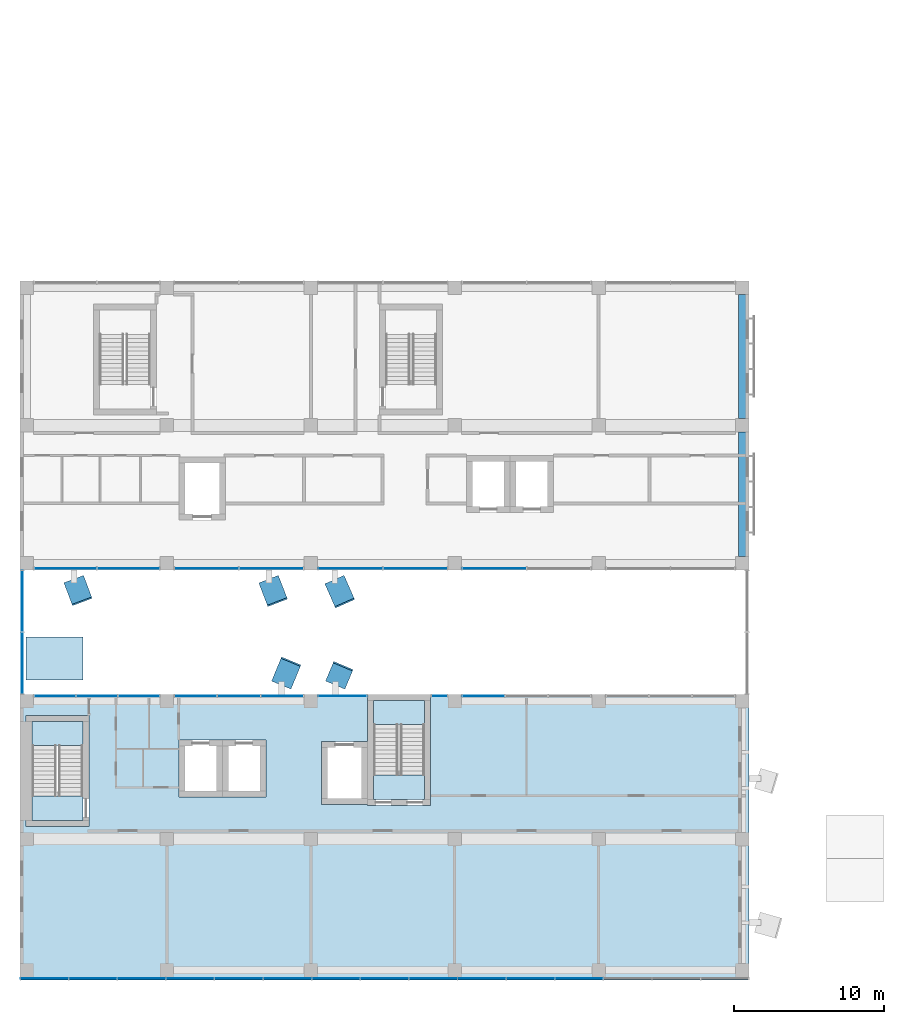
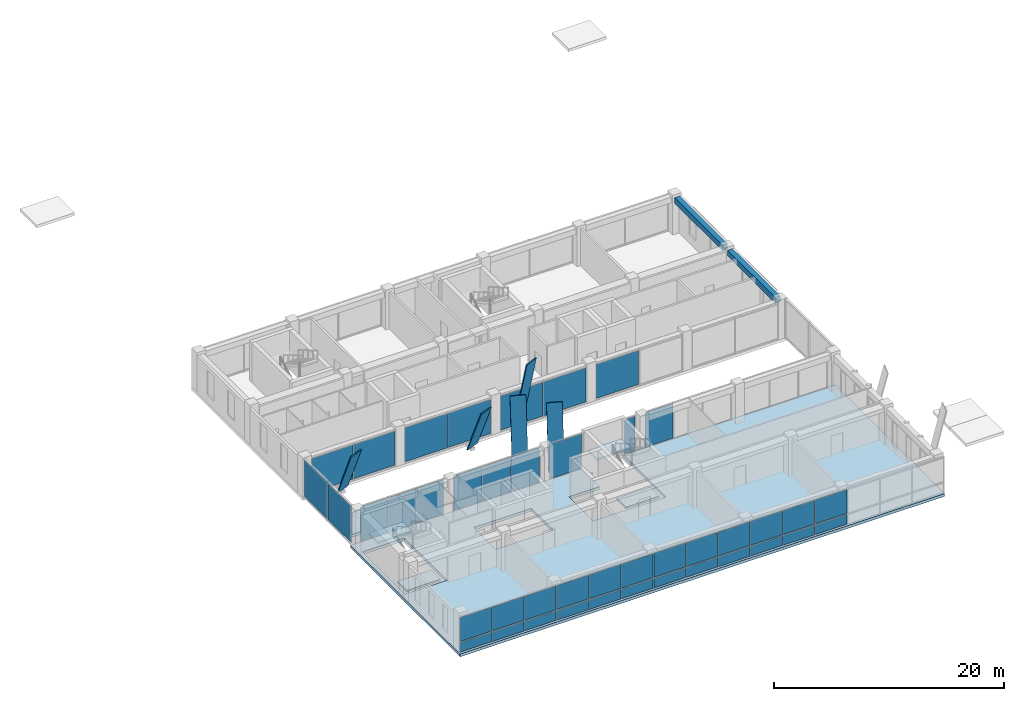
# One storey, part 25 of 36: 47 plates, 6 slabs, 2 beams, 13 elements without a shape of their own.
"""IFC4 building model written with IfcOpenShell, lengths in metres."""

from ifc_helpers import new_model, si_unit, direction, frame, origin, origin_2d, place, context, subcontext, project, spatial, polyline, rectangle, outline, extrude, material, layer, layer_set, material_profile, profile_set, type_object, element, aggregate, save


model = new_model("IFC4")

# Units and contexts
model_context = context("Model", 3, precision=1e-05, world=origin(), true_north=direction((0.0, 1.0)))
body_context = subcontext(model_context, "Body", "Model", "MODEL_VIEW")
ifc_project = project(units=[si_unit("LENGTHUNIT", "METRE"), si_unit("AREAUNIT", "SQUARE_METRE"), si_unit("VOLUMEUNIT", "CUBIC_METRE"), si_unit("PLANEANGLEUNIT", "RADIAN"), si_unit("MASSUNIT", "GRAM", prefix="KILO")], contexts=[model_context])

# Site, building, storey
site_placement = place(None, origin())
site = spatial("IfcSite", under=ifc_project, at=site_placement, CompositionType="ELEMENT")
building_placement = place(site_placement, origin())
building = spatial("IfcBuilding", under=site, at=building_placement, Name="Nzadi Deep Aquarium and Research Tower", CompositionType="ELEMENT")
storey_placement = place(building_placement, frame((0.0, 0.0, 36.10009765625)))
storey = spatial("IfcBuildingStorey", under=building, at=storey_placement, Name="L06", CompositionType="ELEMENT", Elevation=36.10009765625)

# Beams
ifc_material_1 = material(Name="Concrete C35/45", Category="concrete")
ifc_material_profile_1 = material_profile(ifc_material_1, rectangle(XDim=0.5, YDim=0.60009765625, at=origin_2d()))
ifc_profile_set_1 = profile_set([ifc_material_profile_1], Name="Concrete C35/45")
beam_type = type_object("IfcBeamType", Name="RC 500x600", PredefinedType="BEAM", material=ifc_profile_set_1)
for number, where, z_axis, x_axis, name in (
    (1, (48.0, 28.050048828125, 3.599853515625), (0.0, 1.0, 0.0), (-1.0, 0.0, 0.0), "B-Z1-L06-CF-1-4"),
    (2, (48.0, 37.25, 3.599853515625), (0.0, 1.0, 0.0), (-1.0, 0.0, 0.0), "B-Z1-L06-CF-2-4"),
):
    element("IfcBeam", number, at=place(storey_placement, frame(where, z_axis=z_axis, x_axis=x_axis)), inside=storey, type_object=beam_type, Name=name, PredefinedType="BEAM", context=body_context, shape_type="SweptSolid", body=[
        extrude(rectangle(XDim=0.5, YDim=0.60009765625, at=origin_2d()), origin(), (0.0, 0.0, 1.0), 8.300048828125),
    ])

# Plates
ifc_material_2 = material(Name="Anodised aluminium, bright", Category="aluminium")
ifc_material_profile_2 = material_profile(ifc_material_2, rectangle(XDim=1.39990234375, YDim=0.10009765625, at=origin_2d()))
ifc_profile_set_2 = profile_set([ifc_material_profile_2], Name="Anodised aluminium, bright")
plate_type_1 = type_object("IfcPlateType", Name="Fold blade anodised aluminium 1400x100, 4.8 m", PredefinedType="SHEET", material=ifc_profile_set_2)
for number, where, z_axis, x_axis, name in (
    (3, (3.39990234375, 26.503662109375, 0.015869140625), (0.112813518628, -0.300090063077, 0.94721648215), (0.936041988942, 0.351888327368, 0.0), "FD029 fold blade SB L06"),
    (4, (16.39990234375, 26.498046875, 0.0166015625), (0.119630541525, -0.309910242138, 0.943209507666), (0.932906886914, 0.360117675697, 0.0), "FD030 fold blade SB L06"),
):
    element("IfcPlate", number, at=place(storey_placement, frame(where, z_axis=z_axis, x_axis=x_axis)), inside=storey, type_object=plate_type_1, Name=name, PredefinedType="SHEET", context=body_context, shape_type="SweptSolid", body=[
        extrude(rectangle(XDim=1.39990234375, YDim=0.10009765625, at=origin_2d()), origin(), (0.0, 0.0, 1.0), 4.800048828125),
    ])
ifc_material_3 = material(Name="Anodised aluminium, bright", Category="aluminium")
ifc_material_profile_3 = material_profile(ifc_material_3, rectangle(XDim=1.39990234375, YDim=0.10009765625, at=origin_2d()))
ifc_profile_set_3 = profile_set([ifc_material_profile_3], Name="Anodised aluminium, bright")
plate_type_2 = type_object("IfcPlateType", Name="Fold blade anodised aluminium 1400x100, 6.6 m", PredefinedType="SHEET", material=ifc_profile_set_3)
plate_1_placement = place(storey_placement, frame((20.85009765625, 19.521240234375, 0.010009765625), z_axis=(0.077239579373, 0.183813922369, 0.979921675095), x_axis=(-0.921914527456, 0.387393345407, 0.0)))
element("IfcPlate", 5, at=plate_1_placement, inside=storey, type_object=plate_type_2, Name="FD028 fold blade SA L06", PredefinedType="SHEET", context=body_context, shape_type="SweptSolid", body=[
    extrude(rectangle(XDim=1.39990234375, YDim=0.10009765625, at=origin_2d()), origin(), (0.0, 0.0, 1.0), 6.599853515625),
])
ifc_material_4 = material(Name="Anodised aluminium, bright", Category="aluminium")
ifc_material_profile_4 = material_profile(ifc_material_4, rectangle(XDim=1.39990234375, YDim=0.10009765625, at=origin_2d()))
ifc_profile_set_4 = profile_set([ifc_material_profile_4], Name="Anodised aluminium, bright")
plate_type_3 = type_object("IfcPlateType", Name="Fold blade anodised aluminium 1400x100, 8.4 m", PredefinedType="SHEET", material=ifc_profile_set_4)
plate_2_placement = place(storey_placement, frame((17.25, 19.517822265625, 0.009765625), z_axis=(0.074986790204, 0.181043688442, 0.980612137478), x_axis=(-0.923886678754, 0.382666179352, 0.0)))
element("IfcPlate", 6, at=plate_2_placement, inside=storey, type_object=plate_type_3, Name="FD027 fold blade SA L06", PredefinedType="SHEET", context=body_context, shape_type="SweptSolid", body=[
    extrude(rectangle(XDim=1.39990234375, YDim=0.10009765625, at=origin_2d()), origin(), (0.0, 0.0, 1.0), 8.39990234375),
])
plate_3_placement = place(storey_placement, frame((20.800048828125, 26.467529296875, 0.009765625), z_axis=(0.079751915552, -0.180836887232, 0.980274273957), x_axis=(0.914972100108, 0.403517107473, 0.0)))
element("IfcPlate", 7, at=plate_3_placement, inside=storey, type_object=plate_type_3, Name="FD031 fold blade SB L06", PredefinedType="SHEET", context=body_context, shape_type="SweptSolid", body=[
    extrude(rectangle(XDim=1.39990234375, YDim=0.10009765625, at=origin_2d()), origin(), (0.0, 0.0, 1.0), 8.400146484375),
])

# Curtain wall, plates
ifc_material_5 = material(Name="Aluminium unitised frame", Category="aluminium")
ifc_layer_1 = layer(ifc_material_5, 0.199951171875)
ifc_layer_set_1 = layer_set([ifc_layer_1], Name="Aluminium unitised frame")
curtain_wall_type_1 = type_object("IfcCurtainWallType", Name="Curtain wall Unitised 200", PredefinedType="NOTDEFINED", material=ifc_layer_set_1)
curtain_wall_1_placement = place(storey_placement, origin())
curtain_wall_1 = element("IfcCurtainWall", 8, at=curtain_wall_1_placement, inside=storey, type_object=curtain_wall_type_1, Name="Unitised curtain wall blade A south L06", PredefinedType="NOTDEFINED")
ifc_material_6 = material(Name="Glass, sage tint", Category="glass")
ifc_layer_2 = layer(ifc_material_6, 0.035888671875)
ifc_layer_set_2 = layer_set([ifc_layer_2], Name="Glass, sage tint")
plate_type_4 = type_object("IfcPlateType", Name="Glazing panel 36 Unitised", PredefinedType="CURTAIN_PANEL", material=ifc_layer_set_2)
plate_4_placement = place(storey_placement, frame((1.436767578125, -0.10009765625, 1.260009765625), z_axis=(0.0, 0.0, 1.0), x_axis=(1.0, 0.0, 0.0)))
plate_4 = element("IfcPlate", 9, at=plate_4_placement, type_object=plate_type_4, Name="CW008 panel 1.2", PredefinedType="CURTAIN_PANEL", context=body_context, shape_type="SweptSolid", body=[
    extrude(rectangle(XDim=3.1533203125, YDim=0.035888671875, at=origin_2d()), origin(), (0.0, 0.0, 1.0), 2.52001953125),
])
plate_5_placement = place(storey_placement, frame((4.6650390625, -0.10009765625, 1.260009765625), z_axis=(0.0, 0.0, 1.0), x_axis=(1.0, 0.0, 0.0)))
plate_5 = element("IfcPlate", 10, at=plate_5_placement, type_object=plate_type_4, Name="CW008 panel 2.2", PredefinedType="CURTAIN_PANEL", context=body_context, shape_type="SweptSolid", body=[
    extrude(rectangle(XDim=3.183349609375, YDim=0.035888671875, at=origin_2d()), origin(), (0.0, 0.0, 1.0), 2.52001953125),
])
plate_6_placement = place(storey_placement, frame((7.908447265625, -0.10009765625, 1.260009765625), z_axis=(0.0, 0.0, 1.0), x_axis=(1.0, 0.0, 0.0)))
plate_6 = element("IfcPlate", 11, at=plate_6_placement, type_object=plate_type_4, Name="CW008 panel 3.2", PredefinedType="CURTAIN_PANEL", context=body_context, shape_type="SweptSolid", body=[
    extrude(rectangle(XDim=3.183349609375, YDim=0.035888671875, at=origin_2d()), origin(), (0.0, 0.0, 1.0), 2.52001953125),
])
plate_7_placement = place(storey_placement, frame((11.151611328125, -0.10009765625, 1.260009765625), z_axis=(0.0, 0.0, 1.0), x_axis=(1.0, 0.0, 0.0)))
plate_7 = element("IfcPlate", 12, at=plate_7_placement, type_object=plate_type_4, Name="CW008 panel 4.2", PredefinedType="CURTAIN_PANEL", context=body_context, shape_type="SweptSolid", body=[
    extrude(rectangle(XDim=3.183349609375, YDim=0.035888671875, at=origin_2d()), origin(), (0.0, 0.0, 1.0), 2.52001953125),
])
plate_8_placement = place(storey_placement, frame((14.39501953125, -0.10009765625, 1.260009765625), z_axis=(0.0, 0.0, 1.0), x_axis=(1.0, 0.0, 0.0)))
plate_8 = element("IfcPlate", 13, at=plate_8_placement, type_object=plate_type_4, Name="CW008 panel 5.2", PredefinedType="CURTAIN_PANEL", context=body_context, shape_type="SweptSolid", body=[
    extrude(rectangle(XDim=3.183349609375, YDim=0.035888671875, at=origin_2d()), origin(), (0.0, 0.0, 1.0), 2.52001953125),
])
plate_9_placement = place(storey_placement, frame((17.638427734375, -0.10009765625, 1.260009765625), z_axis=(0.0, 0.0, 1.0), x_axis=(1.0, 0.0, 0.0)))
plate_9 = element("IfcPlate", 14, at=plate_9_placement, type_object=plate_type_4, Name="CW008 panel 6.2", PredefinedType="CURTAIN_PANEL", context=body_context, shape_type="SweptSolid", body=[
    extrude(rectangle(XDim=3.183349609375, YDim=0.035888671875, at=origin_2d()), origin(), (0.0, 0.0, 1.0), 2.52001953125),
])
plate_10_placement = place(storey_placement, frame((20.881591796875, -0.10009765625, 1.260009765625), z_axis=(0.0, 0.0, 1.0), x_axis=(1.0, 0.0, 0.0)))
plate_10 = element("IfcPlate", 15, at=plate_10_placement, type_object=plate_type_4, Name="CW008 panel 7.2", PredefinedType="CURTAIN_PANEL", context=body_context, shape_type="SweptSolid", body=[
    extrude(rectangle(XDim=3.183349609375, YDim=0.035888671875, at=origin_2d()), origin(), (0.0, 0.0, 1.0), 2.52001953125),
])
plate_11_placement = place(storey_placement, frame((24.125, -0.10009765625, 1.260009765625), z_axis=(0.0, 0.0, 1.0), x_axis=(1.0, 0.0, 0.0)))
plate_11 = element("IfcPlate", 16, at=plate_11_placement, type_object=plate_type_4, Name="CW008 panel 8.2", PredefinedType="CURTAIN_PANEL", context=body_context, shape_type="SweptSolid", body=[
    extrude(rectangle(XDim=3.183349609375, YDim=0.035888671875, at=origin_2d()), origin(), (0.0, 0.0, 1.0), 2.52001953125),
])
plate_12_placement = place(storey_placement, frame((27.368408203125, -0.10009765625, 1.260009765625), z_axis=(0.0, 0.0, 1.0), x_axis=(1.0, 0.0, 0.0)))
plate_12 = element("IfcPlate", 17, at=plate_12_placement, type_object=plate_type_4, Name="CW008 panel 9.2", PredefinedType="CURTAIN_PANEL", context=body_context, shape_type="SweptSolid", body=[
    extrude(rectangle(XDim=3.183349609375, YDim=0.035888671875, at=origin_2d()), origin(), (0.0, 0.0, 1.0), 2.52001953125),
])
plate_13_placement = place(storey_placement, frame((30.611572265625, -0.10009765625, 1.260009765625), z_axis=(0.0, 0.0, 1.0), x_axis=(1.0, 0.0, 0.0)))
plate_13 = element("IfcPlate", 18, at=plate_13_placement, type_object=plate_type_4, Name="CW008 panel 10.2", PredefinedType="CURTAIN_PANEL", context=body_context, shape_type="SweptSolid", body=[
    extrude(rectangle(XDim=3.183349609375, YDim=0.035888671875, at=origin_2d()), origin(), (0.0, 0.0, 1.0), 2.52001953125),
])
plate_14_placement = place(storey_placement, frame((33.85498046875, -0.10009765625, 1.260009765625), z_axis=(0.0, 0.0, 1.0), x_axis=(1.0, 0.0, 0.0)))
plate_14 = element("IfcPlate", 19, at=plate_14_placement, type_object=plate_type_4, Name="CW008 panel 11.2", PredefinedType="CURTAIN_PANEL", context=body_context, shape_type="SweptSolid", body=[
    extrude(rectangle(XDim=3.183349609375, YDim=0.035888671875, at=origin_2d()), origin(), (0.0, 0.0, 1.0), 2.52001953125),
])
plate_15_placement = place(storey_placement, frame((37.098388671875, -0.10009765625, 1.260009765625), z_axis=(0.0, 0.0, 1.0), x_axis=(1.0, 0.0, 0.0)))
plate_15 = element("IfcPlate", 20, at=plate_15_placement, type_object=plate_type_4, Name="CW008 panel 12.2", PredefinedType="CURTAIN_PANEL", context=body_context, shape_type="SweptSolid", body=[
    extrude(rectangle(XDim=3.183349609375, YDim=0.035888671875, at=origin_2d()), origin(), (0.0, 0.0, 1.0), 2.52001953125),
])

curtain_wall_2_placement = place(storey_placement, origin())
curtain_wall_2 = element("IfcCurtainWall", 21, at=curtain_wall_2_placement, inside=storey, type_object=curtain_wall_type_1, Name="Unitised curtain wall blade A north L06", PredefinedType="NOTDEFINED")
plate_16_placement = place(storey_placement, frame((2.123291015625, 18.75, 0.1201171875), z_axis=(0.0, 0.0, 1.0), x_axis=(1.0, 0.0, 0.0)))
plate_16 = element("IfcPlate", 22, at=plate_16_placement, type_object=plate_type_4, Name="CW009 panel 1.1", PredefinedType="CURTAIN_PANEL", context=body_context, shape_type="SweptSolid", body=[
    extrude(rectangle(XDim=2.7265625, YDim=0.035888671875, at=origin_2d()), origin(), (0.0, 0.0, 1.0), 3.659912109375),
])
plate_17_placement = place(storey_placement, frame((4.925048828125, 18.75, 0.1201171875), z_axis=(0.0, 0.0, 1.0), x_axis=(1.0, 0.0, 0.0)))
plate_17 = element("IfcPlate", 23, at=plate_17_placement, type_object=plate_type_4, Name="CW009 panel 2.1", PredefinedType="CURTAIN_PANEL", context=body_context, shape_type="SweptSolid", body=[
    extrude(rectangle(XDim=2.756591796875, YDim=0.035888671875, at=origin_2d()), origin(), (0.0, 0.0, 1.0), 3.659912109375),
])
plate_18_placement = place(storey_placement, frame((7.7265625, 18.75, 0.1201171875), z_axis=(0.0, 0.0, 1.0), x_axis=(1.0, 0.0, 0.0)))
plate_18 = element("IfcPlate", 24, at=plate_18_placement, type_object=plate_type_4, Name="CW009 panel 3.1", PredefinedType="CURTAIN_PANEL", context=body_context, shape_type="SweptSolid", body=[
    extrude(rectangle(XDim=2.7265625, YDim=0.035888671875, at=origin_2d()), origin(), (0.0, 0.0, 1.0), 3.659912109375),
])
aggregate(curtain_wall_2, [plate_16, plate_17, plate_18])

curtain_wall_3_placement = place(storey_placement, origin())
curtain_wall_3 = element("IfcCurtainWall", 25, at=curtain_wall_3_placement, inside=storey, type_object=curtain_wall_type_1, Name="Unitised curtain wall blade A north L06", PredefinedType="NOTDEFINED")
plate_19_placement = place(storey_placement, frame((11.514892578125, 18.75, 0.1201171875), z_axis=(0.0, 0.0, 1.0), x_axis=(1.0, 0.0, 0.0)))
plate_19 = element("IfcPlate", 26, at=plate_19_placement, type_object=plate_type_4, Name="CW010 panel 1.1", PredefinedType="CURTAIN_PANEL", context=body_context, shape_type="SweptSolid", body=[
    extrude(rectangle(XDim=2.81005859375, YDim=0.035888671875, at=origin_2d()), origin(), (0.0, 0.0, 1.0), 3.659912109375),
])
plate_20_placement = place(storey_placement, frame((14.39990234375, 18.75, 0.1201171875), z_axis=(0.0, 0.0, 1.0), x_axis=(1.0, 0.0, 0.0)))
plate_20 = element("IfcPlate", 27, at=plate_20_placement, type_object=plate_type_4, Name="CW010 panel 2.1", PredefinedType="CURTAIN_PANEL", context=body_context, shape_type="SweptSolid", body=[
    extrude(rectangle(XDim=2.840087890625, YDim=0.035888671875, at=origin_2d()), origin(), (0.0, 0.0, 1.0), 3.659912109375),
])
plate_21_placement = place(storey_placement, frame((17.284912109375, 18.75, 0.1201171875), z_axis=(0.0, 0.0, 1.0), x_axis=(1.0, 0.0, 0.0)))
plate_21 = element("IfcPlate", 28, at=plate_21_placement, type_object=plate_type_4, Name="CW010 panel 3.1", PredefinedType="CURTAIN_PANEL", context=body_context, shape_type="SweptSolid", body=[
    extrude(rectangle(XDim=2.81005859375, YDim=0.035888671875, at=origin_2d()), origin(), (0.0, 0.0, 1.0), 3.659912109375),
])
aggregate(curtain_wall_3, [plate_19, plate_20, plate_21])

# Curtain wall, plate
curtain_wall_4_placement = place(storey_placement, origin())
curtain_wall_4 = element("IfcCurtainWall", 29, at=curtain_wall_4_placement, inside=storey, type_object=curtain_wall_type_1, Name="Unitised curtain wall blade A north L06", PredefinedType="NOTDEFINED")
plate_22_placement = place(storey_placement, frame((21.324951171875, 18.75, 0.1201171875), z_axis=(0.0, 0.0, 1.0), x_axis=(1.0, 0.0, 0.0)))
plate_22 = element("IfcPlate", 30, at=plate_22_placement, type_object=plate_type_4, Name="CW011 panel 1.1", PredefinedType="CURTAIN_PANEL", context=body_context, shape_type="SweptSolid", body=[
    extrude(rectangle(XDim=3.22998046875, YDim=0.035888671875, at=origin_2d()), origin(), (0.0, 0.0, 1.0), 3.659912109375),
])
aggregate(curtain_wall_4, [plate_22])

curtain_wall_5_placement = place(storey_placement, origin())
curtain_wall_5 = element("IfcCurtainWall", 31, at=curtain_wall_5_placement, inside=storey, type_object=curtain_wall_type_1, Name="Unitised curtain wall blade A north L06", PredefinedType="NOTDEFINED")
plate_23_placement = place(storey_placement, frame((27.77490234375, 18.75, 0.1201171875), z_axis=(0.0, 0.0, 1.0), x_axis=(1.0, 0.0, 0.0)))
plate_23 = element("IfcPlate", 32, at=plate_23_placement, type_object=plate_type_4, Name="CW012 panel 1.1", PredefinedType="CURTAIN_PANEL", context=body_context, shape_type="SweptSolid", body=[
    extrude(rectangle(XDim=1.030029296875, YDim=0.035888671875, at=origin_2d()), origin(), (0.0, 0.0, 1.0), 3.659912109375),
])
aggregate(curtain_wall_5, [plate_23])

curtain_wall_6_placement = place(storey_placement, origin())
curtain_wall_6 = element("IfcCurtainWall", 33, at=curtain_wall_6_placement, inside=storey, type_object=curtain_wall_type_1, Name="Unitised curtain wall blade A north L06", PredefinedType="NOTDEFINED")
plate_24_placement = place(storey_placement, frame((30.715087890625, 18.75, 0.1201171875), z_axis=(0.0, 0.0, 1.0), x_axis=(1.0, 0.0, 0.0)))
plate_24 = element("IfcPlate", 34, at=plate_24_placement, type_object=plate_type_4, Name="CW013 panel 1.1", PredefinedType="CURTAIN_PANEL", context=body_context, shape_type="SweptSolid", body=[
    extrude(rectangle(XDim=2.81005859375, YDim=0.035888671875, at=origin_2d()), origin(), (0.0, 0.0, 1.0), 3.659912109375),
])
aggregate(curtain_wall_6, [plate_24])

# Curtain wall, plates
ifc_material_7 = material(Name="Aluminium unitised frame deep", Category="aluminium")
ifc_layer_3 = layer(ifc_material_7, 0.22509765625)
ifc_layer_set_3 = layer_set([ifc_layer_3], Name="Aluminium unitised frame deep")
curtain_wall_type_2 = type_object("IfcCurtainWallType", Name="Curtain wall Unitised Deep 225", PredefinedType="NOTDEFINED", material=ifc_layer_set_3)
curtain_wall_7_placement = place(storey_placement, origin())
curtain_wall_7 = element("IfcCurtainWall", 35, at=curtain_wall_7_placement, inside=storey, type_object=curtain_wall_type_2, Name="Unitised curtain wall blade B south L06", PredefinedType="NOTDEFINED")
ifc_material_8 = material(Name="Glass, sage tint", Category="glass")
ifc_layer_4 = layer(ifc_material_8, 0.0400390625)
ifc_layer_set_4 = layer_set([ifc_layer_4], Name="Glass, sage tint")
plate_type_5 = type_object("IfcPlateType", Name="Glazing panel 40 Unitised Deep", PredefinedType="CURTAIN_PANEL", material=ifc_layer_set_4)
plate_25_placement = place(storey_placement, frame((2.827392578125, 27.262451171875, 0.139892578125), z_axis=(0.0, 0.0, 1.0), x_axis=(1.0, 0.0, 0.0)))
plate_25 = element("IfcPlate", 36, at=plate_25_placement, type_object=plate_type_5, Name="CW088 panel 1.1", PredefinedType="CURTAIN_PANEL", context=body_context, shape_type="SweptSolid", body=[
    extrude(rectangle(XDim=4.135009765625, YDim=0.0400390625, at=origin_2d()), origin(), (0.0, 0.0, 1.0), 3.6201171875),
])
plate_26_placement = place(storey_placement, frame((7.0224609375, 27.262451171875, 0.139892578125), z_axis=(0.0, 0.0, 1.0), x_axis=(1.0, 0.0, 0.0)))
plate_26 = element("IfcPlate", 37, at=plate_26_placement, type_object=plate_type_5, Name="CW088 panel 2.1", PredefinedType="CURTAIN_PANEL", context=body_context, shape_type="SweptSolid", body=[
    extrude(rectangle(XDim=4.135009765625, YDim=0.0400390625, at=origin_2d()), origin(), (0.0, 0.0, 1.0), 3.6201171875),
])
aggregate(curtain_wall_7, [plate_25, plate_26])

curtain_wall_8_placement = place(storey_placement, origin())
curtain_wall_8 = element("IfcCurtainWall", 38, at=curtain_wall_8_placement, inside=storey, type_object=curtain_wall_type_2, Name="Unitised curtain wall blade B south L06", PredefinedType="NOTDEFINED")
plate_27_placement = place(storey_placement, frame((12.239990234375, 27.262451171875, 0.139892578125), z_axis=(0.0, 0.0, 1.0), x_axis=(1.0, 0.0, 0.0)))
plate_27 = element("IfcPlate", 39, at=plate_27_placement, type_object=plate_type_5, Name="CW089 panel 1.1", PredefinedType="CURTAIN_PANEL", context=body_context, shape_type="SweptSolid", body=[
    extrude(rectangle(XDim=4.260009765625, YDim=0.0400390625, at=origin_2d()), origin(), (0.0, 0.0, 1.0), 3.6201171875),
])
plate_28_placement = place(storey_placement, frame((16.56005859375, 27.262451171875, 0.139892578125), z_axis=(0.0, 0.0, 1.0), x_axis=(1.0, 0.0, 0.0)))
plate_28 = element("IfcPlate", 40, at=plate_28_placement, type_object=plate_type_5, Name="CW089 panel 2.1", PredefinedType="CURTAIN_PANEL", context=body_context, shape_type="SweptSolid", body=[
    extrude(rectangle(XDim=4.260009765625, YDim=0.0400390625, at=origin_2d()), origin(), (0.0, 0.0, 1.0), 3.6201171875),
])
aggregate(curtain_wall_8, [plate_27, plate_28])

curtain_wall_9_placement = place(storey_placement, origin())
curtain_wall_9 = element("IfcCurtainWall", 41, at=curtain_wall_9_placement, inside=storey, type_object=curtain_wall_type_2, Name="Unitised curtain wall blade B south L06", PredefinedType="NOTDEFINED")
plate_29_placement = place(storey_placement, frame((21.840087890625, 27.262451171875, 0.139892578125), z_axis=(0.0, 0.0, 1.0), x_axis=(1.0, 0.0, 0.0)))
plate_29 = element("IfcPlate", 42, at=plate_29_placement, type_object=plate_type_5, Name="CW090 panel 1.1", PredefinedType="CURTAIN_PANEL", context=body_context, shape_type="SweptSolid", body=[
    extrude(rectangle(XDim=4.260009765625, YDim=0.0400390625, at=origin_2d()), origin(), (0.0, 0.0, 1.0), 3.6201171875),
])
plate_30_placement = place(storey_placement, frame((26.159912109375, 27.262451171875, 0.139892578125), z_axis=(0.0, 0.0, 1.0), x_axis=(1.0, 0.0, 0.0)))
plate_30 = element("IfcPlate", 43, at=plate_30_placement, type_object=plate_type_5, Name="CW090 panel 2.1", PredefinedType="CURTAIN_PANEL", context=body_context, shape_type="SweptSolid", body=[
    extrude(rectangle(XDim=4.260009765625, YDim=0.0400390625, at=origin_2d()), origin(), (0.0, 0.0, 1.0), 3.6201171875),
])
aggregate(curtain_wall_9, [plate_29, plate_30])

# Curtain wall, plate
curtain_wall_10_placement = place(storey_placement, origin())
curtain_wall_10 = element("IfcCurtainWall", 44, at=curtain_wall_10_placement, inside=storey, type_object=curtain_wall_type_2, Name="Unitised curtain wall blade B south L06", PredefinedType="NOTDEFINED")
plate_31_placement = place(storey_placement, frame((31.43994140625, 27.262451171875, 0.139892578125), z_axis=(0.0, 0.0, 1.0), x_axis=(1.0, 0.0, 0.0)))
plate_31 = element("IfcPlate", 45, at=plate_31_placement, type_object=plate_type_5, Name="CW091 panel 1.1", PredefinedType="CURTAIN_PANEL", context=body_context, shape_type="SweptSolid", body=[
    extrude(rectangle(XDim=4.260009765625, YDim=0.0400390625, at=origin_2d()), origin(), (0.0, 0.0, 1.0), 3.6201171875),
])
aggregate(curtain_wall_10, [plate_31])

# Curtain wall, plates
ifc_material_9 = material(Name="Aluminium unitised frame wind post", Category="aluminium")
ifc_layer_5 = layer(ifc_material_9, 0.300048828125)
ifc_layer_set_5 = layer_set([ifc_layer_5], Name="Aluminium unitised frame wind post")
curtain_wall_type_3 = type_object("IfcCurtainWallType", Name="Curtain wall Slot End 300", PredefinedType="NOTDEFINED", material=ifc_layer_set_5)
curtain_wall_11_placement = place(storey_placement, origin())
curtain_wall_11 = element("IfcCurtainWall", 46, at=curtain_wall_11_placement, inside=storey, type_object=curtain_wall_type_3, Name="Glazed slot end west L06", PredefinedType="NOTDEFINED")
ifc_material_10 = material(Name="Glass, sage tint", Category="glass")
ifc_layer_6 = layer(ifc_material_10, 0.0439453125)
ifc_layer_set_6 = layer_set([ifc_layer_6], Name="Glass, sage tint")
plate_type_6 = type_object("IfcPlateType", Name="Glazing panel 44 Slot End", PredefinedType="CURTAIN_PANEL", material=ifc_layer_set_6)
plate_32_placement = place(storey_placement, frame((-0.050048828125, 20.93994140625, 0.159912109375), z_axis=(0.0, 0.0, 1.0), x_axis=(0.0, 1.0, 0.0)))
plate_32 = element("IfcPlate", 47, at=plate_32_placement, type_object=plate_type_6, Name="CW203 panel 1.1", PredefinedType="CURTAIN_PANEL", context=body_context, shape_type="SweptSolid", body=[
    extrude(rectangle(XDim=4.06005859375, YDim=0.0439453125, at=origin_2d()), origin(), (0.0, 0.0, 1.0), 3.8798828125),
])
plate_33_placement = place(storey_placement, frame((-0.050048828125, 25.06005859375, 0.159912109375), z_axis=(0.0, 0.0, 1.0), x_axis=(0.0, 1.0, 0.0)))
plate_33 = element("IfcPlate", 48, at=plate_33_placement, type_object=plate_type_6, Name="CW203 panel 2.1", PredefinedType="CURTAIN_PANEL", context=body_context, shape_type="SweptSolid", body=[
    extrude(rectangle(XDim=4.06005859375, YDim=0.0439453125, at=origin_2d()), origin(), (0.0, 0.0, 1.0), 3.8798828125),
])
aggregate(curtain_wall_11, [plate_32, plate_33])

# Slab
ifc_material_11 = material(Name="Concrete C35/45", Category="concrete")
ifc_layer_7 = layer(ifc_material_11, 0.300048828125)
ifc_layer_set_7 = layer_set([ifc_layer_7], Name="Concrete C35/45")
slab_type_1 = type_object("IfcSlabType", Name="Head slab 300", PredefinedType="ROOF", material=ifc_layer_set_7)
slab_1_placement = place(storey_placement, origin())
element("IfcSlab", 49, at=slab_1_placement, inside=storey, type_object=slab_type_1, Name="Head slab PL1", PredefinedType="ROOF", context=body_context, shape_type="SweptSolid", body=[
    extrude(outline(polyline([(4.0, 19.800048828125), (4.0, 22.699951171875), (0.199951171875, 22.699951171875), (0.199951171875, 19.800048828125), (4.0, 19.800048828125)])), origin(), (0.0, 0.0, 1.0), 0.2998046875),
])

# Stair, slabs
ifc_material_12 = material(Name="Concrete C35/45", Category="concrete")
stair_type = type_object("IfcStairType", Name="STAIR RETURN 3000", PredefinedType="NOTDEFINED", material=ifc_material_12)
stair_1_placement = place(storey_placement, origin())
stair_1 = element("IfcStair", 50, at=stair_1_placement, inside=storey, type_object=stair_type, Name="Stair ST-Z1-SW L06", PredefinedType="HALF_TURN_STAIR")
ifc_material_13 = material(Name="Concrete C35/45", Category="concrete")
ifc_layer_8 = layer(ifc_material_13, 0.199951171875)
ifc_layer_set_8 = layer_set([ifc_layer_8], Name="Concrete C35/45")
slab_type_2 = type_object("IfcSlabType", Name="LANDING 200", PredefinedType="LANDING", material=ifc_layer_set_8)
slab_2_placement = place(storey_placement, frame((0.0, 0.0, -0.2001953125)))
slab_2 = element("IfcSlab", 51, at=slab_2_placement, type_object=slab_type_2, Name="ST-Z1-SW landing 1", PredefinedType="LANDING", context=body_context, shape_type="SweptSolid", body=[
    extrude(outline(polyline([(0.60009765625, 10.449951171875), (4.0, 10.449951171875), (4.0, 12.070068359375), (0.60009765625, 12.070068359375), (0.60009765625, 10.449951171875)])), origin(), (0.0, 0.0, 1.0), 0.2001953125),
])
slab_3_placement = place(storey_placement, frame((0.0, 0.0, 1.89990234375)))
slab_3 = element("IfcSlab", 52, at=slab_3_placement, type_object=slab_type_2, Name="ST-Z1-SW landing 2", PredefinedType="LANDING", context=body_context, shape_type="SweptSolid", body=[
    extrude(outline(polyline([(0.60009765625, 15.429931640625), (4.0, 15.429931640625), (4.0, 17.050048828125), (0.60009765625, 17.050048828125), (0.60009765625, 15.429931640625)])), origin(), (0.0, 0.0, 1.0), 0.199951171875),
])
aggregate(stair_1, [slab_2, slab_3])

stair_2_placement = place(storey_placement, origin())
stair_2 = element("IfcStair", 53, at=stair_2_placement, inside=storey, type_object=stair_type, Name="Stair ST-Z1-SE L06", PredefinedType="HALF_TURN_STAIR")
slab_4_placement = place(storey_placement, frame((0.0, 0.0, -0.2001953125)))
slab_4 = element("IfcSlab", 54, at=slab_4_placement, type_object=slab_type_2, Name="ST-Z1-SE landing 1", PredefinedType="LANDING", context=body_context, shape_type="SweptSolid", body=[
    extrude(outline(polyline([(23.39990234375, 11.85009765625), (26.800048828125, 11.85009765625), (26.800048828125, 13.469970703125), (23.39990234375, 13.469970703125), (23.39990234375, 11.85009765625)])), origin(), (0.0, 0.0, 1.0), 0.2001953125),
])
slab_5_placement = place(storey_placement, frame((0.0, 0.0, 1.89990234375)))
slab_5 = element("IfcSlab", 55, at=slab_5_placement, type_object=slab_type_2, Name="ST-Z1-SE landing 2", PredefinedType="LANDING", context=body_context, shape_type="SweptSolid", body=[
    extrude(outline(polyline([(23.39990234375, 16.830078125), (26.800048828125, 16.830078125), (26.800048828125, 18.449951171875), (23.39990234375, 18.449951171875), (23.39990234375, 16.830078125)])), origin(), (0.0, 0.0, 1.0), 0.199951171875),
])
aggregate(stair_2, [slab_4, slab_5])

# Slab
ifc_material_14 = material(Name="Concrete C35/45", Category="concrete")
ifc_layer_9 = layer(ifc_material_14, 0.300048828125)
ifc_layer_set_9 = layer_set([ifc_layer_9], Name="Concrete C35/45")
slab_type_3 = type_object("IfcSlabType", Name="RC floor slab 300", PredefinedType="FLOOR", material=ifc_layer_set_9)
slab_6_placement = place(storey_placement, frame((0.0, 0.0, -0.300048828125)))
element("IfcSlab", 56, at=slab_6_placement, inside=storey, type_object=slab_type_3, Name="Tower floor A L06", PredefinedType="FLOOR", context=body_context, shape_type="SweptSolid", body=[
    extrude(outline(polyline([(27.199951171875, 11.449951171875), (23.0, 11.449951171875), (23.0, 11.5), (19.89990234375, 11.5), (19.89990234375, 15.699951171875), (23.0, 15.699951171875), (23.0, 18.85009765625), (-0.199462890625, 18.85009765625), (-0.199462890625, -0.199951171875), (48.449951171875, -0.199951171875), (48.449951171875, 18.85009765625), (27.199951171875, 18.85009765625), (27.199951171875, 11.449951171875)]), holes=[polyline([(4.39990234375, 17.449951171875), (4.39990234375, 10.050048828125), (0.199951171875, 10.050048828125), (0.199951171875, 17.449951171875), (4.39990234375, 17.449951171875)]), polyline([(10.39990234375, 12.0), (10.39990234375, 15.800048828125), (13.300048828125, 15.800048828125), (16.199951171875, 15.800048828125), (16.199951171875, 12.0), (13.300048828125, 12.0), (10.39990234375, 12.0)])]), origin(), (0.0, 0.0, 1.0), 0.300048828125),
])

# Plate
ifc_material_15 = material(Name="Glass spandrel, enamelled", Category="glass")
ifc_layer_10 = layer(ifc_material_15, 0.035888671875)
ifc_layer_set_10 = layer_set([ifc_layer_10], Name="Glass spandrel, enamelled")
plate_type_7 = type_object("IfcPlateType", Name="Spandrel panel 36 Unitised", PredefinedType="CURTAIN_PANEL", material=ifc_layer_set_10)
plate_34_placement = place(storey_placement, frame((1.436767578125, -0.10009765625, 0.119873046875), z_axis=(0.0, 0.0, 1.0), x_axis=(1.0, 0.0, 0.0)))
plate_34 = element("IfcPlate", 57, at=plate_34_placement, type_object=plate_type_7, Name="CW008 panel 1.1", PredefinedType="CURTAIN_PANEL", context=body_context, shape_type="SweptSolid", body=[
    extrude(rectangle(XDim=3.1533203125, YDim=0.035888671875, at=origin_2d()), origin(), (0.0, 0.0, 1.0), 1.02001953125),
])

plate_35_placement = place(storey_placement, frame((4.6650390625, -0.10009765625, 0.119873046875), z_axis=(0.0, 0.0, 1.0), x_axis=(1.0, 0.0, 0.0)))
plate_35 = element("IfcPlate", 58, at=plate_35_placement, type_object=plate_type_7, Name="CW008 panel 2.1", PredefinedType="CURTAIN_PANEL", context=body_context, shape_type="SweptSolid", body=[
    extrude(rectangle(XDim=3.183349609375, YDim=0.035888671875, at=origin_2d()), origin(), (0.0, 0.0, 1.0), 1.02001953125),
])

plate_36_placement = place(storey_placement, frame((7.908447265625, -0.10009765625, 0.119873046875), z_axis=(0.0, 0.0, 1.0), x_axis=(1.0, 0.0, 0.0)))
plate_36 = element("IfcPlate", 59, at=plate_36_placement, type_object=plate_type_7, Name="CW008 panel 3.1", PredefinedType="CURTAIN_PANEL", context=body_context, shape_type="SweptSolid", body=[
    extrude(rectangle(XDim=3.183349609375, YDim=0.035888671875, at=origin_2d()), origin(), (0.0, 0.0, 1.0), 1.02001953125),
])

plate_37_placement = place(storey_placement, frame((11.151611328125, -0.10009765625, 0.119873046875), z_axis=(0.0, 0.0, 1.0), x_axis=(1.0, 0.0, 0.0)))
plate_37 = element("IfcPlate", 60, at=plate_37_placement, type_object=plate_type_7, Name="CW008 panel 4.1", PredefinedType="CURTAIN_PANEL", context=body_context, shape_type="SweptSolid", body=[
    extrude(rectangle(XDim=3.183349609375, YDim=0.035888671875, at=origin_2d()), origin(), (0.0, 0.0, 1.0), 1.02001953125),
])

plate_38_placement = place(storey_placement, frame((14.39501953125, -0.10009765625, 0.119873046875), z_axis=(0.0, 0.0, 1.0), x_axis=(1.0, 0.0, 0.0)))
plate_38 = element("IfcPlate", 61, at=plate_38_placement, type_object=plate_type_7, Name="CW008 panel 5.1", PredefinedType="CURTAIN_PANEL", context=body_context, shape_type="SweptSolid", body=[
    extrude(rectangle(XDim=3.183349609375, YDim=0.035888671875, at=origin_2d()), origin(), (0.0, 0.0, 1.0), 1.02001953125),
])

plate_39_placement = place(storey_placement, frame((17.638427734375, -0.10009765625, 0.119873046875), z_axis=(0.0, 0.0, 1.0), x_axis=(1.0, 0.0, 0.0)))
plate_39 = element("IfcPlate", 62, at=plate_39_placement, type_object=plate_type_7, Name="CW008 panel 6.1", PredefinedType="CURTAIN_PANEL", context=body_context, shape_type="SweptSolid", body=[
    extrude(rectangle(XDim=3.183349609375, YDim=0.035888671875, at=origin_2d()), origin(), (0.0, 0.0, 1.0), 1.02001953125),
])

plate_40_placement = place(storey_placement, frame((20.881591796875, -0.10009765625, 0.119873046875), z_axis=(0.0, 0.0, 1.0), x_axis=(1.0, 0.0, 0.0)))
plate_40 = element("IfcPlate", 63, at=plate_40_placement, type_object=plate_type_7, Name="CW008 panel 7.1", PredefinedType="CURTAIN_PANEL", context=body_context, shape_type="SweptSolid", body=[
    extrude(rectangle(XDim=3.183349609375, YDim=0.035888671875, at=origin_2d()), origin(), (0.0, 0.0, 1.0), 1.02001953125),
])

plate_41_placement = place(storey_placement, frame((24.125, -0.10009765625, 0.119873046875), z_axis=(0.0, 0.0, 1.0), x_axis=(1.0, 0.0, 0.0)))
plate_41 = element("IfcPlate", 64, at=plate_41_placement, type_object=plate_type_7, Name="CW008 panel 8.1", PredefinedType="CURTAIN_PANEL", context=body_context, shape_type="SweptSolid", body=[
    extrude(rectangle(XDim=3.183349609375, YDim=0.035888671875, at=origin_2d()), origin(), (0.0, 0.0, 1.0), 1.02001953125),
])

plate_42_placement = place(storey_placement, frame((27.368408203125, -0.10009765625, 0.119873046875), z_axis=(0.0, 0.0, 1.0), x_axis=(1.0, 0.0, 0.0)))
plate_42 = element("IfcPlate", 65, at=plate_42_placement, type_object=plate_type_7, Name="CW008 panel 9.1", PredefinedType="CURTAIN_PANEL", context=body_context, shape_type="SweptSolid", body=[
    extrude(rectangle(XDim=3.183349609375, YDim=0.035888671875, at=origin_2d()), origin(), (0.0, 0.0, 1.0), 1.02001953125),
])

plate_43_placement = place(storey_placement, frame((30.611572265625, -0.10009765625, 0.119873046875), z_axis=(0.0, 0.0, 1.0), x_axis=(1.0, 0.0, 0.0)))
plate_43 = element("IfcPlate", 66, at=plate_43_placement, type_object=plate_type_7, Name="CW008 panel 10.1", PredefinedType="CURTAIN_PANEL", context=body_context, shape_type="SweptSolid", body=[
    extrude(rectangle(XDim=3.183349609375, YDim=0.035888671875, at=origin_2d()), origin(), (0.0, 0.0, 1.0), 1.02001953125),
])

plate_44_placement = place(storey_placement, frame((33.85498046875, -0.10009765625, 0.119873046875), z_axis=(0.0, 0.0, 1.0), x_axis=(1.0, 0.0, 0.0)))
plate_44 = element("IfcPlate", 67, at=plate_44_placement, type_object=plate_type_7, Name="CW008 panel 11.1", PredefinedType="CURTAIN_PANEL", context=body_context, shape_type="SweptSolid", body=[
    extrude(rectangle(XDim=3.183349609375, YDim=0.035888671875, at=origin_2d()), origin(), (0.0, 0.0, 1.0), 1.02001953125),
])

plate_45_placement = place(storey_placement, frame((37.098388671875, -0.10009765625, 0.119873046875), z_axis=(0.0, 0.0, 1.0), x_axis=(1.0, 0.0, 0.0)))
plate_45 = element("IfcPlate", 68, at=plate_45_placement, type_object=plate_type_7, Name="CW008 panel 12.1", PredefinedType="CURTAIN_PANEL", context=body_context, shape_type="SweptSolid", body=[
    extrude(rectangle(XDim=3.183349609375, YDim=0.035888671875, at=origin_2d()), origin(), (0.0, 0.0, 1.0), 1.02001953125),
])

aggregate(curtain_wall_1, [plate_34, plate_4, plate_35, plate_5, plate_36, plate_6, plate_37, plate_7, plate_38, plate_8, plate_39, plate_9, plate_40, plate_10, plate_41, plate_11, plate_42, plate_12, plate_43, plate_13, plate_44, plate_14, plate_45, plate_15])

save(model, "model.ifc")
